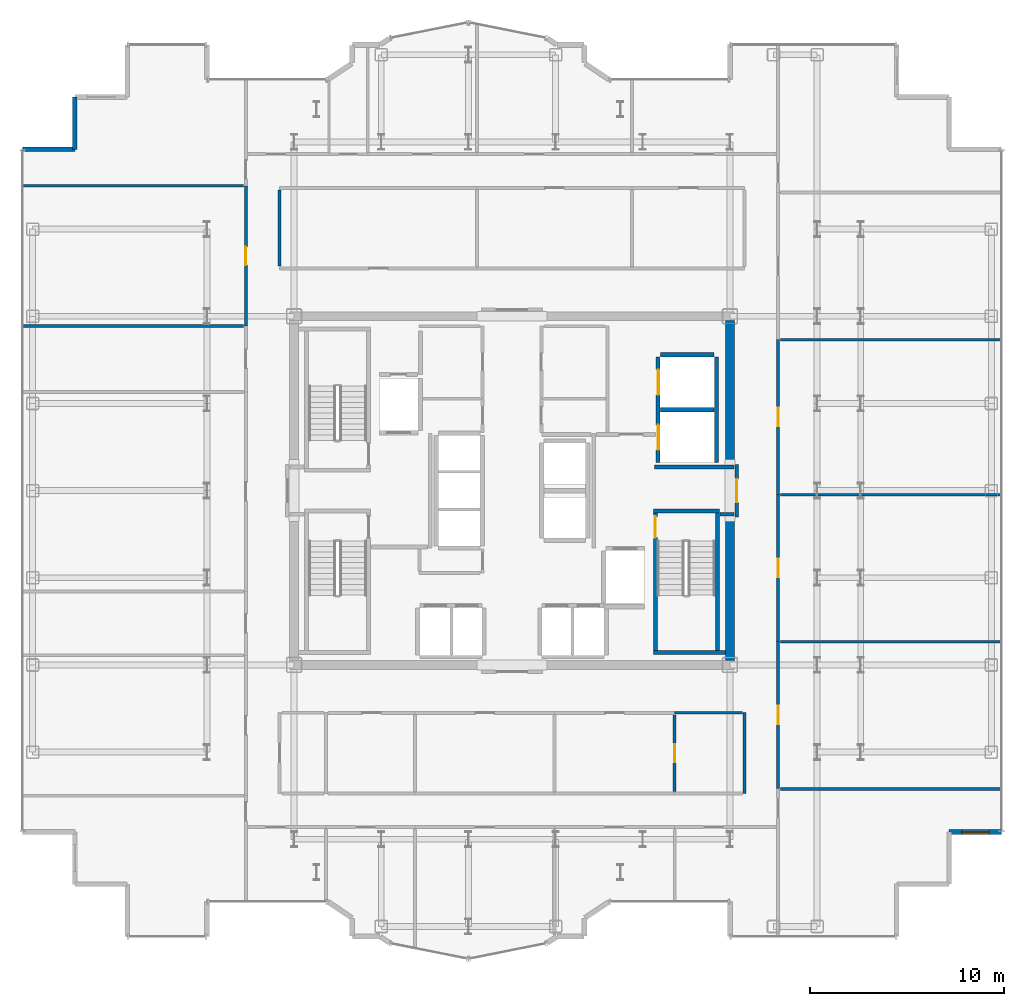
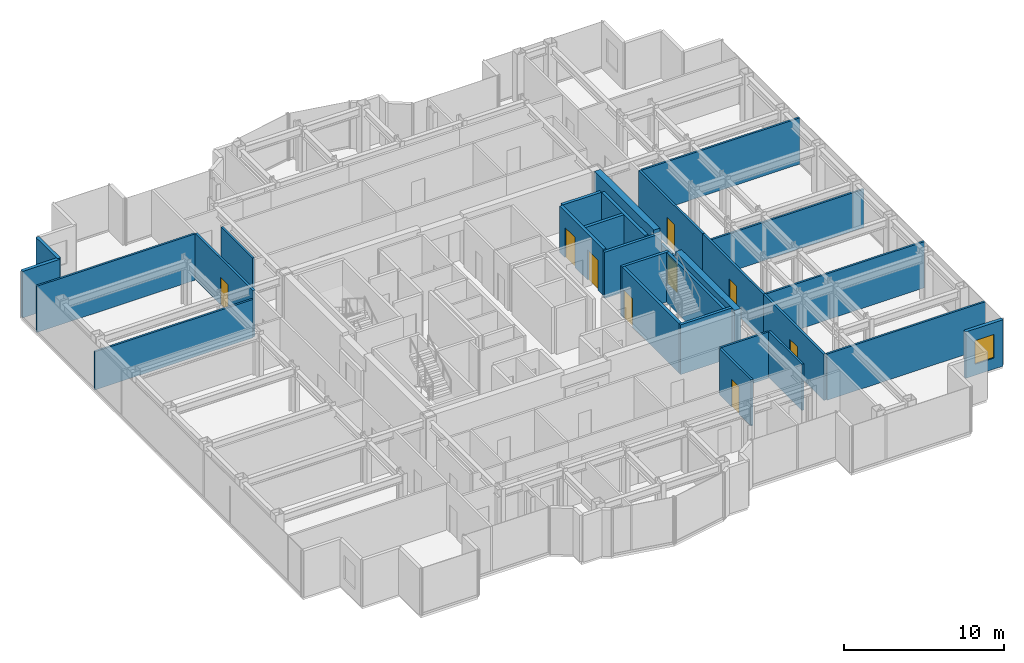
# One storey, part 17 of 20: 30 walls, 9 doors, 1 window, 10 openings.
"""IFC4 building model written with IfcOpenShell, lengths in metres."""

from ifc_helpers import new_model, si_unit, direction, frame, frame_2d, origin, place, context, subcontext, project, spatial, rectangle, extrude, source, transform, mapped, material, layer, layer_set, type_object, element, fill, save


model = new_model("IFC4")

# Units and contexts
model_context = context("Model", 3, precision=1e-05, world=origin(), true_north=direction((0.0, 1.0)))
body_context = subcontext(model_context, "Body", "Model", "MODEL_VIEW")
ifc_project = project(units=[si_unit("LENGTHUNIT", "METRE"), si_unit("AREAUNIT", "SQUARE_METRE"), si_unit("VOLUMEUNIT", "CUBIC_METRE"), si_unit("PLANEANGLEUNIT", "RADIAN"), si_unit("MASSUNIT", "GRAM", prefix="KILO")], contexts=[model_context])

# Site, building, storey
site_placement = place(None, origin())
site = spatial("IfcSite", under=ifc_project, at=site_placement, CompositionType="ELEMENT")
building_placement = place(site_placement, origin())
building = spatial("IfcBuilding", under=site, at=building_placement, Name="Nefas-Gora Pilgrimage Tower", CompositionType="ELEMENT")
storey_placement = place(building_placement, frame((0.0, 0.0, 237.0)))
storey = spatial("IfcBuildingStorey", under=building, at=storey_placement, Name="L59", CompositionType="ELEMENT", Elevation=237.0)

# Walls
ifc_material_1 = material(Name="Concrete C50/60", Category="concrete")
ifc_layer_1 = layer(ifc_material_1, 0.449951171875)
ifc_layer_set_1 = layer_set([ifc_layer_1], Name="Concrete C50/60")
wall_type_1 = type_object("IfcWallType", Name="SW-CORE-450", PredefinedType="SHEAR", material=ifc_layer_set_1)
shared_shape_1 = source(origin(), body_context, "Body", "SweptSolid", [
    extrude(rectangle(XDim=7.4248046875, YDim=0.449951171875, at=frame_2d((3.71240234375, 0.0))), origin(), (0.0, 0.0, 1.0), 3.800048828125),
])
for number, where, z_axis, x_axis, name in (
    (1, (11.25, -8.77490234375, 0.0), (0.0, 0.0, 1.0), (0.0, 1.0, 0.0), "L59 Core Shear Wall E-South"),
    (2, (11.25, 1.35009765625, 0.0), (0.0, 0.0, 1.0), (0.0, 1.0, 0.0), "L59 Core Shear Wall E-North"),
):
    element("IfcWall", number, at=place(storey_placement, frame(where, z_axis=z_axis, x_axis=x_axis)), inside=storey, type_object=wall_type_1, Name=name, PredefinedType="SHEAR", context=body_context, shape_type="MappedRepresentation", body=[
        mapped(shared_shape_1, transform((0.0, 0.0, 0.0), x_axis=(1.0, 0.0, 0.0), y_axis=(0.0, 1.0, 0.0), z_axis=(0.0, 0.0, 1.0), scale=1.0)),
    ])

# Wall, opening, window
ifc_material_2 = material(Name="Precast concrete C45/55", Category="concrete")
ifc_layer_2 = layer(ifc_material_2, 0.239990234375)
ifc_layer_set_2 = layer_set([ifc_layer_2], Name="Precast concrete C45/55")
wall_type_2 = type_object("IfcWallType", Name="EW-SERR-240", PredefinedType="SHEAR", material=ifc_layer_set_2)
shared_shape_2 = source(origin(), body_context, "Body", "SweptSolid", [
    extrude(rectangle(XDim=2.699951171875, YDim=0.239990234375, at=frame_2d((1.35009765625, 0.0))), origin(), (0.0, 0.0, 1.0), 3.550048828125),
])
wall_1_placement = place(storey_placement, frame((22.570068359375, -17.6201171875, 0.0), z_axis=(0.0, 0.0, 1.0), x_axis=(1.0, 0.0, 0.0)))
wall_1 = element("IfcWall", 3, at=wall_1_placement, inside=storey, type_object=wall_type_2, Name="L59 Serrated Corner Shear Pier Wall 5", PredefinedType="SHEAR", context=body_context, shape_type="MappedRepresentation", body=[
    mapped(shared_shape_2, transform((0.0, 0.0, 0.0), x_axis=(1.0, 0.0, 0.0), y_axis=(0.0, 1.0, 0.0), z_axis=(0.0, 0.0, 1.0), scale=1.0)),
])
opening_1_placement = place(wall_1_placement, frame((0.64990234375, 0.0, 0.85009765625)))
opening_1 = element("IfcOpeningElement", 4, at=opening_1_placement, cuts=wall_1, Name="Opening W-V2", PredefinedType="OPENING", context=body_context, shape_type="SweptSolid", body=[
    extrude(rectangle(XDim=1.39990234375, YDim=1.800048828125, at=frame_2d((0.699951171875, 0.89990234375))), frame((0.0, 0.1298828125, 0.0), z_axis=(0.0, -1.0, 0.0), x_axis=(1.0, 0.0, 0.0)), (0.0, 0.0, 1.0), 0.260009765625),
])
ifc_material_3 = material(Name="Dark ceramic-fritted operable aluminium-glass window", Category="aluminium")
window_type = type_object("IfcWindowType", Name="WIN-VENT-1400x1800", PartitioningType="SINGLE_PANEL", PredefinedType="WINDOW", material=ifc_material_3)
shared_shape_3 = source(origin(), body_context, "Body", "SweptSolid", [
    extrude(rectangle(XDim=1.39990234375, YDim=1.800048828125, at=frame_2d((0.699951171875, 0.89990234375))), frame((0.0, 0.030029296875, 0.0), z_axis=(0.0, -1.0, 0.0), x_axis=(1.0, 0.0, 0.0)), (0.0, 0.0, 1.0), 0.06005859375),
])
window_placement = place(opening_1_placement, origin())
window = element("IfcWindow", 5, at=window_placement, inside=storey, type_object=window_type, Name="L59 Operable Parallel-Outswing Window 5", OverallHeight=1.800048828125, OverallWidth=1.39990234375, PartitioningType="SINGLE_PANEL", PredefinedType="WINDOW", context=body_context, shape_type="MappedRepresentation", body=[
    mapped(shared_shape_3, transform((0.0, 0.0, 0.0), x_axis=(1.0, 0.0, 0.0), y_axis=(0.0, 1.0, 0.0), z_axis=(0.0, 0.0, 1.0), scale=1.0)),
])
fill(opening_1, window)

# Walls
for number, where, z_axis, x_axis, name in (
    (6, (-22.570068359375, 20.320068359375, 0.0), (0.0, 0.0, 1.0), (0.0, -1.0, 0.0), "L59 Serrated Corner Shear Pier Wall 22"),
    (7, (-22.570068359375, 17.6201171875, 0.0), (0.0, 0.0, 1.0), (-1.0, 0.0, 0.0), "L59 Serrated Corner Shear Pier Wall 23"),
):
    element("IfcWall", number, at=place(storey_placement, frame(where, z_axis=z_axis, x_axis=x_axis)), inside=storey, type_object=wall_type_2, Name=name, PredefinedType="SHEAR", context=body_context, shape_type="MappedRepresentation", body=[
        mapped(shared_shape_2, transform((0.0, 0.0, 0.0), x_axis=(1.0, 0.0, 0.0), y_axis=(0.0, 1.0, 0.0), z_axis=(0.0, 0.0, 1.0), scale=1.0)),
    ])
ifc_material_4 = material(Name="Concrete C45/55", Category="concrete")
ifc_layer_3 = layer(ifc_material_4, 0.199951171875)
ifc_layer_set_3 = layer_set([ifc_layer_3], Name="Concrete C45/55")
wall_type_3 = type_object("IfcWallType", Name="IW-STAIR-200", PredefinedType="SOLIDWALL", material=ifc_layer_set_3)
shared_shape_4 = source(origin(), body_context, "Body", "SweptSolid", [
    extrude(rectangle(XDim=3.39990234375, YDim=0.199951171875, at=frame_2d((1.699951171875, 0.0))), origin(), (0.0, 0.0, 1.0), 3.800048828125),
])
wall_2_placement = place(storey_placement, frame((7.300048828125, -1.050048828125, 0.0), z_axis=(0.0, 0.0, 1.0), x_axis=(1.0, 0.0, 0.0)))
element("IfcWall", 8, at=wall_2_placement, inside=storey, type_object=wall_type_3, Name="L59 Stairwell Shear Wall ST-02-near", PredefinedType="SOLIDWALL", context=body_context, shape_type="MappedRepresentation", body=[
    mapped(shared_shape_4, transform((0.0, 0.0, 0.0), x_axis=(1.0, 0.0, 0.0), y_axis=(0.0, 1.0, 0.0), z_axis=(0.0, 0.0, 1.0), scale=1.0)),
])

# Wall, opening, door
shared_shape_5 = source(origin(), body_context, "Body", "SweptSolid", [
    extrude(rectangle(XDim=7.10009765625, YDim=0.199951171875, at=frame_2d((3.550048828125, 0.0))), origin(), (0.0, 0.0, 1.0), 3.800048828125),
])
wall_3_placement = place(storey_placement, frame((7.39990234375, -1.14990234375, 0.0), z_axis=(0.0, 0.0, 1.0), x_axis=(0.0, -1.0, 0.0)))
wall_3 = element("IfcWall", 9, at=wall_3_placement, inside=storey, type_object=wall_type_3, Name="L59 Stairwell Shear Wall ST-02-left", PredefinedType="SOLIDWALL", context=body_context, shape_type="MappedRepresentation", body=[
    mapped(shared_shape_5, transform((0.0, 0.0, 0.0), x_axis=(1.0, 0.0, 0.0), y_axis=(0.0, 1.0, 0.0), z_axis=(0.0, 0.0, 1.0), scale=1.0)),
])
opening_2_placement = place(wall_3_placement, frame((0.179931640625, 0.0, 0.0)))
opening_2 = element("IfcOpeningElement", 10, at=opening_2_placement, cuts=wall_3, Name="Opening ID-ST1", PredefinedType="OPENING", context=body_context, shape_type="SweptSolid", body=[
    extrude(rectangle(XDim=1.10009765625, YDim=2.14990234375, at=frame_2d((0.550048828125, 1.074951171875))), frame((0.0, 0.10986328125, 0.0), z_axis=(0.0, -1.0, 0.0), x_axis=(1.0, 0.0, 0.0)), (0.0, 0.0, 1.0), 0.219970703125),
])
ifc_material_5 = material(Name="Painted galvanised steel fire stair door", Category="steel")
door_type_1 = type_object("IfcDoorType", Name="DR-INT-STAIR-1100", OperationType="NOTDEFINED", PredefinedType="DOOR", material=ifc_material_5)
shared_shape_6 = source(origin(), body_context, "Body", "SweptSolid", [
    extrude(rectangle(XDim=1.10009765625, YDim=2.14990234375, at=frame_2d((0.550048828125, 1.074951171875))), frame((0.0, 0.02490234375, 0.0), z_axis=(0.0, -1.0, 0.0), x_axis=(1.0, 0.0, 0.0)), (0.0, 0.0, 1.0), 0.050048828125),
])
door_1_placement = place(opening_2_placement, origin())
door_1 = element("IfcDoor", 11, at=door_1_placement, inside=storey, type_object=door_type_1, Name="L59 Protected Exit Stair Door ST-02", OperationType="SINGLE_SWING_RIGHT", OverallHeight=2.14990234375, OverallWidth=1.10009765625, PredefinedType="DOOR", context=body_context, shape_type="MappedRepresentation", body=[
    mapped(shared_shape_6, transform((0.0, 0.0, 0.0), x_axis=(1.0, 0.0, 0.0), y_axis=(0.0, 1.0, 0.0), z_axis=(0.0, 0.0, 1.0), scale=1.0)),
])
fill(opening_2, door_1)

# Walls
wall_4_placement = place(storey_placement, frame((10.60009765625, -1.14990234375, 0.0), z_axis=(0.0, 0.0, 1.0), x_axis=(0.0, -1.0, 0.0)))
element("IfcWall", 12, at=wall_4_placement, inside=storey, type_object=wall_type_3, Name="L59 Stairwell Shear Wall ST-02-right", PredefinedType="SOLIDWALL", context=body_context, shape_type="MappedRepresentation", body=[
    mapped(shared_shape_5, transform((0.0, 0.0, 0.0), x_axis=(1.0, 0.0, 0.0), y_axis=(0.0, 1.0, 0.0), z_axis=(0.0, 0.0, 1.0), scale=1.0)),
])
shared_shape_7 = source(origin(), body_context, "Body", "SweptSolid", [
    extrude(rectangle(XDim=3.72998046875, YDim=0.199951171875, at=frame_2d((1.864990234375, 0.0))), origin(), (0.0, 0.0, 1.0), 3.800048828125),
])
wall_5_placement = place(storey_placement, frame((7.300048828125, -8.35009765625, 0.0), z_axis=(0.0, 0.0, 1.0), x_axis=(1.0, 0.0, 0.0)))
element("IfcWall", 13, at=wall_5_placement, inside=storey, type_object=wall_type_3, Name="L59 Stairwell Shear Wall ST-02-far", PredefinedType="SOLIDWALL", context=body_context, shape_type="MappedRepresentation", body=[
    mapped(shared_shape_7, transform((0.0, 0.0, 0.0), x_axis=(1.0, 0.0, 0.0), y_axis=(0.0, 1.0, 0.0), z_axis=(0.0, 0.0, 1.0), scale=1.0)),
])

# Wall, openings, doors
ifc_material_6 = material(Name="Concrete C40/50", Category="concrete")
ifc_layer_4 = layer(ifc_material_6, 0.219970703125)
ifc_layer_set_4 = layer_set([ifc_layer_4], Name="Concrete C40/50")
wall_type_4 = type_object("IfcWallType", Name="IW-SHAFT-220", PredefinedType="SOLIDWALL", material=ifc_layer_set_4)
shared_shape_8 = source(origin(), body_context, "Body", "SweptSolid", [
    extrude(rectangle(XDim=5.449951171875, YDim=0.219970703125, at=frame_2d((2.72509765625, 0.0))), origin(), (0.0, 0.0, 1.0), 3.534912109375),
])
wall_6_placement = place(storey_placement, frame((7.5400390625, 6.89990234375, 0.0), z_axis=(0.0, 0.0, 1.0), x_axis=(0.0, -1.0, 0.0)))
wall_6 = element("IfcWall", 14, at=wall_6_placement, inside=storey, type_object=wall_type_4, Name="L59 Hoistway Wall SL-01-02-W", PredefinedType="SOLIDWALL", context=body_context, shape_type="MappedRepresentation", body=[
    mapped(shared_shape_8, transform((0.0, 0.0, 0.0), x_axis=(1.0, 0.0, 0.0), y_axis=(0.0, 1.0, 0.0), z_axis=(0.0, 0.0, 1.0), scale=1.0)),
])
opening_3_placement = place(wall_6_placement, frame((3.5, 0.0, 0.0)))
opening_3 = element("IfcOpeningElement", 15, at=opening_3_placement, cuts=wall_6, Name="Opening LD-SV", PredefinedType="OPENING", context=body_context, shape_type="SweptSolid", body=[
    extrude(rectangle(XDim=1.300048828125, YDim=2.300048828125, at=frame_2d((0.64990234375, 1.14990234375))), frame((0.0, 0.119873046875, 0.0), z_axis=(0.0, -1.0, 0.0), x_axis=(1.0, 0.0, 0.0)), (0.0, 0.0, 1.0), 0.239990234375),
])
opening_4_placement = place(wall_6_placement, frame((0.64990234375, 0.0, 0.0)))
opening_4 = element("IfcOpeningElement", 16, at=opening_4_placement, cuts=wall_6, Name="Opening LD-SV", PredefinedType="OPENING", context=body_context, shape_type="SweptSolid", body=[
    extrude(rectangle(XDim=1.300048828125, YDim=2.300048828125, at=frame_2d((0.64990234375, 1.14990234375))), frame((0.0, 0.119873046875, 0.0), z_axis=(0.0, -1.0, 0.0), x_axis=(1.0, 0.0, 0.0)), (0.0, 0.0, 1.0), 0.239990234375),
])
ifc_material_7 = material(Name="Heavy goods sliding lift landing door")
door_type_2 = type_object("IfcDoorType", Name="DR-LIFT-SERV-1300", OperationType="SLIDING_TO_RIGHT", PredefinedType="DOOR", material=ifc_material_7)
shared_shape_9 = source(origin(), body_context, "Body", "SweptSolid", [
    extrude(rectangle(XDim=1.300048828125, YDim=2.300048828125, at=frame_2d((0.64990234375, 1.14990234375))), frame((0.0, 0.02490234375, 0.0), z_axis=(0.0, -1.0, 0.0), x_axis=(1.0, 0.0, 0.0)), (0.0, 0.0, 1.0), 0.050048828125),
])
door_2_placement = place(opening_3_placement, origin())
door_2 = element("IfcDoor", 17, at=door_2_placement, inside=storey, type_object=door_type_2, Name="L59 Sliding Lift Landing Door SL-01", OperationType="SLIDING_TO_RIGHT", OverallHeight=2.300048828125, OverallWidth=1.300048828125, PredefinedType="DOOR", context=body_context, shape_type="MappedRepresentation", body=[
    mapped(shared_shape_9, transform((0.0, 0.0, 0.0), x_axis=(1.0, 0.0, 0.0), y_axis=(0.0, 1.0, 0.0), z_axis=(0.0, 0.0, 1.0), scale=1.0)),
])
fill(opening_3, door_2)
door_3_placement = place(opening_4_placement, origin())
door_3 = element("IfcDoor", 18, at=door_3_placement, inside=storey, type_object=door_type_2, Name="L59 Sliding Lift Landing Door SL-02", OperationType="SLIDING_TO_RIGHT", OverallHeight=2.300048828125, OverallWidth=1.300048828125, PredefinedType="DOOR", context=body_context, shape_type="MappedRepresentation", body=[
    mapped(shared_shape_9, transform((0.0, 0.0, 0.0), x_axis=(1.0, 0.0, 0.0), y_axis=(0.0, 1.0, 0.0), z_axis=(0.0, 0.0, 1.0), scale=1.0)),
])
fill(opening_4, door_3)

# Walls
wall_7_placement = place(storey_placement, frame((10.56005859375, 1.449951171875, 0.0), z_axis=(0.0, 0.0, 1.0), x_axis=(0.0, 1.0, 0.0)))
element("IfcWall", 19, at=wall_7_placement, inside=storey, type_object=wall_type_4, Name="L59 Hoistway Wall SL-01-02-E", PredefinedType="SOLIDWALL", context=body_context, shape_type="MappedRepresentation", body=[
    mapped(shared_shape_8, transform((0.0, 0.0, 0.0), x_axis=(1.0, 0.0, 0.0), y_axis=(0.0, 1.0, 0.0), z_axis=(0.0, 0.0, 1.0), scale=1.0)),
])
shared_shape_10 = source(origin(), body_context, "Body", "SweptSolid", [
    extrude(rectangle(XDim=2.780029296875, YDim=0.219970703125, at=frame_2d((1.39013671875, 0.0))), origin(), (0.0, 0.0, 1.0), 3.534912109375),
])
for number, where, z_axis, x_axis, name in (
    (20, (7.659912109375, 4.175048828125, 0.0), (0.0, 0.0, 1.0), (1.0, 0.0, 0.0), "L59 Hoistway Wall SL-01-02-DIV"),
    (21, (10.43994140625, 7.010009765625, 0.0), (0.0, 0.0, 1.0), (-1.0, 0.0, 0.0), "L59 Hoistway Wall SL-02-N"),
):
    element("IfcWall", number, at=place(storey_placement, frame(where, z_axis=z_axis, x_axis=x_axis)), inside=storey, type_object=wall_type_4, Name=name, PredefinedType="SOLIDWALL", context=body_context, shape_type="MappedRepresentation", body=[
        mapped(shared_shape_10, transform((0.0, 0.0, 0.0), x_axis=(1.0, 0.0, 0.0), y_axis=(0.0, 1.0, 0.0), z_axis=(0.0, 0.0, 1.0), scale=1.0)),
    ])
ifc_material_8 = material(Name="Gypsum fire-rated shaftwall")
ifc_layer_5 = layer(ifc_material_8, 0.199951171875)
ifc_layer_set_5 = layer_set([ifc_layer_5], Name="Gypsum fire-rated shaftwall")
wall_type_5 = type_object("IfcWallType", Name="IW-FFLOB-200", PredefinedType="PARTITIONING", material=ifc_layer_set_5)
shared_shape_11 = source(origin(), body_context, "Body", "SweptSolid", [
    extrude(rectangle(XDim=0.719970703125, YDim=0.199951171875, at=frame_2d((0.35986328125, 0.0))), origin(), (0.0, 0.0, 1.0), 3.534912109375),
])
wall_8_placement = place(storey_placement, frame((10.739990234375, -1.219970703125, 0.0), z_axis=(0.0, 0.0, 1.0), x_axis=(1.0, 0.0, 0.0)))
element("IfcWall", 22, at=wall_8_placement, inside=storey, type_object=wall_type_5, Name="L59 FF Lobby East Throat S Wall 14", PredefinedType="PARTITIONING", context=body_context, shape_type="MappedRepresentation", body=[
    mapped(shared_shape_11, transform((0.0, 0.0, 0.0), x_axis=(1.0, 0.0, 0.0), y_axis=(0.0, 1.0, 0.0), z_axis=(0.0, 0.0, 1.0), scale=1.0)),
])
shared_shape_12 = source(origin(), body_context, "Body", "SweptSolid", [
    extrude(rectangle(XDim=4.10986328125, YDim=0.199951171875, at=frame_2d((2.054931640625, 0.0))), origin(), (0.0, 0.0, 1.0), 3.534912109375),
])
wall_9_placement = place(storey_placement, frame((7.35009765625, 1.219970703125, 0.0), z_axis=(0.0, 0.0, 1.0), x_axis=(1.0, 0.0, 0.0)))
element("IfcWall", 23, at=wall_9_placement, inside=storey, type_object=wall_type_5, Name="L59 FF Lobby East Throat N Wall 13", PredefinedType="PARTITIONING", context=body_context, shape_type="MappedRepresentation", body=[
    mapped(shared_shape_12, transform((0.0, 0.0, 0.0), x_axis=(1.0, 0.0, 0.0), y_axis=(0.0, 1.0, 0.0), z_axis=(0.0, 0.0, 1.0), scale=1.0)),
])
ifc_material_9 = material(Name="Gypsum twin-stud partition")
ifc_layer_6 = layer(ifc_material_9, 0.139892578125)
ifc_layer_set_6 = layer_set([ifc_layer_6], Name="Gypsum twin-stud partition")
wall_type_6 = type_object("IfcWallType", Name="IW-UNIT-140", PredefinedType="PARTITIONING", material=ifc_layer_set_6)
shared_shape_13 = source(origin(), body_context, "Body", "SweptSolid", [
    extrude(rectangle(XDim=11.429931640625, YDim=0.139892578125, at=frame_2d((5.71484375, 0.0))), origin(), (0.0, 0.0, 1.0), 3.534912109375),
])
for number, where, z_axis, x_axis, name in (
    (24, (-25.2900390625, 15.74755859375, 0.0), (0.0, 0.0, 1.0), (1.0, 0.0, 0.0), "L59 Pilgrim Tea and Beverage Pantry Partition Wall 43"),
    (25, (13.860107421875, -15.3974609375, 0.0), (0.0, 0.0, 1.0), (1.0, 0.0, 0.0), "L59 Pilgrim Fellowship Seminar Room Partition Wall 46"),
    (26, (13.860107421875, -7.804931640625, 0.0), (0.0, 0.0, 1.0), (1.0, 0.0, 0.0), "L59 Pilgrim Fellowship Seminar Room Partition Wall 48"),
    (27, (13.860107421875, 7.794921875, 0.0), (0.0, 0.0, 1.0), (1.0, 0.0, 0.0), "L59 Pilgrim Contemplative Lounge Partition Wall 52"),
):
    element("IfcWall", number, at=place(storey_placement, frame(where, z_axis=z_axis, x_axis=x_axis)), inside=storey, type_object=wall_type_6, Name=name, PredefinedType="PARTITIONING", context=body_context, shape_type="MappedRepresentation", body=[
        mapped(shared_shape_13, transform((0.0, 0.0, 0.0), x_axis=(1.0, 0.0, 0.0), y_axis=(0.0, 1.0, 0.0), z_axis=(0.0, 0.0, 1.0), scale=1.0)),
    ])

# Wall, opening, door
ifc_material_10 = material(Name="Gypsum acoustic stud partition")
ifc_layer_7 = layer(ifc_material_10, 0.159912109375)
ifc_layer_set_7 = layer_set([ifc_layer_7], Name="Gypsum acoustic stud partition")
wall_type_7 = type_object("IfcWallType", Name="IW-CORR-160", PredefinedType="PARTITIONING", material=ifc_layer_set_7)
shared_shape_14 = source(origin(), body_context, "Body", "SweptSolid", [
    extrude(rectangle(XDim=7.242431640625, YDim=0.159912109375, at=frame_2d((3.62109375, 0.0))), origin(), (0.0, 0.0, 1.0), 3.534912109375),
])
wall_10_placement = place(storey_placement, frame((-13.739990234375, 8.4951171875, 0.0), z_axis=(0.0, 0.0, 1.0), x_axis=(0.0, 1.0, 0.0)))
wall_10 = element("IfcWall", 28, at=wall_10_placement, inside=storey, type_object=wall_type_7, Name="L59 Pilgrim Fellowship Seminar Room Partition Wall 44", PredefinedType="PARTITIONING", context=body_context, shape_type="MappedRepresentation", body=[
    mapped(shared_shape_14, transform((0.0, 0.0, 0.0), x_axis=(1.0, 0.0, 0.0), y_axis=(0.0, 1.0, 0.0), z_axis=(0.0, 0.0, 1.0), scale=1.0)),
])
opening_5_placement = place(wall_10_placement, frame((3.146240234375, 0.0, 0.0)))
opening_5 = element("IfcOpeningElement", 29, at=opening_5_placement, cuts=wall_10, Name="Opening ID-GR1", PredefinedType="OPENING", context=body_context, shape_type="SweptSolid", body=[
    extrude(rectangle(XDim=0.949951171875, YDim=2.10009765625, at=frame_2d((0.47509765625, 1.050048828125))), frame((0.0, 0.08984375, 0.0), z_axis=(0.0, -1.0, 0.0), x_axis=(1.0, 0.0, 0.0)), (0.0, 0.0, 1.0), 0.179931640625),
])
ifc_material_11 = material(Name="Solid core oak fire-rated guest entrance door")
door_type_3 = type_object("IfcDoorType", Name="DR-INT-GUEST-950", OperationType="NOTDEFINED", PredefinedType="DOOR", material=ifc_material_11)
shared_shape_15 = source(origin(), body_context, "Body", "SweptSolid", [
    extrude(rectangle(XDim=0.949951171875, YDim=2.10009765625, at=frame_2d((0.47509765625, 1.050048828125))), frame((0.0, 0.02490234375, 0.0), z_axis=(0.0, -1.0, 0.0), x_axis=(1.0, 0.0, 0.0)), (0.0, 0.0, 1.0), 0.050048828125),
])
door_4_placement = place(opening_5_placement, origin())
door_4 = element("IfcDoor", 30, at=door_4_placement, inside=storey, type_object=door_type_3, Name="L59 Pilgrim Fellowship Seminar Room Door 19", OperationType="SINGLE_SWING_LEFT", OverallHeight=2.10009765625, OverallWidth=0.949951171875, PredefinedType="DOOR", context=body_context, shape_type="MappedRepresentation", body=[
    mapped(shared_shape_15, transform((0.0, 0.0, 0.0), x_axis=(1.0, 0.0, 0.0), y_axis=(0.0, 1.0, 0.0), z_axis=(0.0, 0.0, 1.0), scale=1.0)),
])
fill(opening_5, door_4)

# Wall
shared_shape_16 = source(origin(), body_context, "Body", "SweptSolid", [
    extrude(rectangle(XDim=3.929931640625, YDim=0.139892578125, at=frame_2d((1.96484375, 0.0))), origin(), (0.0, 0.0, 1.0), 3.534912109375),
])
wall_11_placement = place(storey_placement, frame((-12.0, 11.590087890625, 0.0), z_axis=(0.0, 0.0, 1.0), x_axis=(0.0, 1.0, 0.0)))
element("IfcWall", 31, at=wall_11_placement, inside=storey, type_object=wall_type_6, Name="L59 Pilgrim Contemplative Lounge Partition Wall 58", PredefinedType="PARTITIONING", context=body_context, shape_type="MappedRepresentation", body=[
    mapped(shared_shape_16, transform((0.0, 0.0, 0.0), x_axis=(1.0, 0.0, 0.0), y_axis=(0.0, 1.0, 0.0), z_axis=(0.0, 0.0, 1.0), scale=1.0)),
])

# Wall, opening, door
shared_shape_17 = source(origin(), body_context, "Body", "SweptSolid", [
    extrude(rectangle(XDim=3.929931640625, YDim=0.159912109375, at=frame_2d((1.96484375, 0.0))), origin(), (0.0, 0.0, 1.0), 3.534912109375),
])
wall_12_placement = place(storey_placement, frame((8.39501953125, -15.52001953125, 0.0), z_axis=(0.0, 0.0, 1.0), x_axis=(0.0, 1.0, 0.0)))
wall_12 = element("IfcWall", 32, at=wall_12_placement, inside=storey, type_object=wall_type_7, Name="L59 Pilgrim Contemplative Lounge Partition Wall 92", PredefinedType="PARTITIONING", context=body_context, shape_type="MappedRepresentation", body=[
    mapped(shared_shape_17, transform((0.0, 0.0, 0.0), x_axis=(1.0, 0.0, 0.0), y_axis=(0.0, 1.0, 0.0), z_axis=(0.0, 0.0, 1.0), scale=1.0)),
])
opening_6_placement = place(wall_12_placement, frame((1.489990234375, 0.0, 0.0)))
opening_6 = element("IfcOpeningElement", 33, at=opening_6_placement, cuts=wall_12, Name="Opening ID-GR1", PredefinedType="OPENING", context=body_context, shape_type="SweptSolid", body=[
    extrude(rectangle(XDim=0.949951171875, YDim=2.10009765625, at=frame_2d((0.47509765625, 1.050048828125))), frame((0.0, 0.08984375, 0.0), z_axis=(0.0, -1.0, 0.0), x_axis=(1.0, 0.0, 0.0)), (0.0, 0.0, 1.0), 0.179931640625),
])
door_5_placement = place(opening_6_placement, origin())
door_5 = element("IfcDoor", 34, at=door_5_placement, inside=storey, type_object=door_type_3, Name="L59 Pilgrim Contemplative Lounge Door 41", OperationType="SINGLE_SWING_LEFT", OverallHeight=2.10009765625, OverallWidth=0.949951171875, PredefinedType="DOOR", context=body_context, shape_type="MappedRepresentation", body=[
    mapped(shared_shape_15, transform((0.0, 0.0, 0.0), x_axis=(1.0, 0.0, 0.0), y_axis=(0.0, 1.0, 0.0), z_axis=(0.0, 0.0, 1.0), scale=1.0)),
])
fill(opening_6, door_5)

# Walls
shared_shape_18 = source(origin(), body_context, "Body", "SweptSolid", [
    extrude(rectangle(XDim=4.179931640625, YDim=0.139892578125, at=frame_2d((2.08984375, 0.0))), origin(), (0.0, 0.0, 1.0), 3.534912109375),
])
wall_13_placement = place(storey_placement, frame((12.0, -15.639892578125, 0.0), z_axis=(0.0, 0.0, 1.0), x_axis=(0.0, 1.0, 0.0)))
element("IfcWall", 35, at=wall_13_placement, inside=storey, type_object=wall_type_6, Name="L59 Pilgrim Contemplative Lounge Partition Wall 94", PredefinedType="PARTITIONING", context=body_context, shape_type="MappedRepresentation", body=[
    mapped(shared_shape_18, transform((0.0, 0.0, 0.0), x_axis=(1.0, 0.0, 0.0), y_axis=(0.0, 1.0, 0.0), z_axis=(0.0, 0.0, 1.0), scale=1.0)),
])
shared_shape_19 = source(origin(), body_context, "Body", "SweptSolid", [
    extrude(rectangle(XDim=3.494873046875, YDim=0.139892578125, at=frame_2d((1.74755859375, 0.0))), origin(), (0.0, 0.0, 1.0), 3.534912109375),
])
wall_14_placement = place(storey_placement, frame((8.39501953125, -11.469970703125, 0.0), z_axis=(0.0, 0.0, 1.0), x_axis=(1.0, 0.0, 0.0)))
element("IfcWall", 36, at=wall_14_placement, inside=storey, type_object=wall_type_6, Name="L59 Pilgrim Contemplative Lounge Partition Wall 95", PredefinedType="PARTITIONING", context=body_context, shape_type="MappedRepresentation", body=[
    mapped(shared_shape_19, transform((0.0, 0.0, 0.0), x_axis=(1.0, 0.0, 0.0), y_axis=(0.0, 1.0, 0.0), z_axis=(0.0, 0.0, 1.0), scale=1.0)),
])

# Wall, opening, door
shared_shape_20 = source(origin(), body_context, "Body", "SweptSolid", [
    extrude(rectangle(XDim=2.7001953125, YDim=0.199951171875, at=frame_2d((1.35009765625, 0.0))), origin(), (0.0, 0.0, 1.0), 2.625),
])
wall_15_placement = place(storey_placement, frame((11.60009765625, -1.35009765625, 0.0), z_axis=(0.0, 0.0, 1.0), x_axis=(0.0, 1.0, 0.0)))
wall_15 = element("IfcWall", 37, at=wall_15_placement, inside=storey, type_object=wall_type_5, Name="L59 FF Lobby East Portal Wall 9", PredefinedType="PARTITIONING", context=body_context, shape_type="MappedRepresentation", body=[
    mapped(shared_shape_20, transform((0.0, 0.0, 0.0), x_axis=(1.0, 0.0, 0.0), y_axis=(0.0, 1.0, 0.0), z_axis=(0.0, 0.0, 1.0), scale=1.0)),
])
opening_7_placement = place(wall_15_placement, frame((0.75, 0.0, 0.0)))
opening_7 = element("IfcOpeningElement", 38, at=opening_7_placement, cuts=wall_15, Name="Opening ID-FF1", PredefinedType="OPENING", context=body_context, shape_type="SweptSolid", body=[
    extrude(rectangle(XDim=1.199951171875, YDim=2.14990234375, at=frame_2d((0.60009765625, 1.074951171875))), frame((0.0, 0.10986328125, 0.0), z_axis=(0.0, -1.0, 0.0), x_axis=(1.0, 0.0, 0.0)), (0.0, 0.0, 1.0), 0.219970703125),
])
ifc_material_12 = material(Name="Smoke-sealed steel firefighting lobby door", Category="steel")
door_type_4 = type_object("IfcDoorType", Name="DR-INT-FFLOB-1200", OperationType="NOTDEFINED", PredefinedType="DOOR", material=ifc_material_12)
shared_shape_21 = source(origin(), body_context, "Body", "SweptSolid", [
    extrude(rectangle(XDim=1.199951171875, YDim=2.14990234375, at=frame_2d((0.60009765625, 1.074951171875))), frame((0.0, 0.02490234375, 0.0), z_axis=(0.0, -1.0, 0.0), x_axis=(1.0, 0.0, 0.0)), (0.0, 0.0, 1.0), 0.050048828125),
])
door_6_placement = place(opening_7_placement, origin())
door_6 = element("IfcDoor", 39, at=door_6_placement, inside=storey, type_object=door_type_4, Name="L59 FF Lobby East Portal Door 3", OperationType="SINGLE_SWING_LEFT", OverallHeight=2.14990234375, OverallWidth=1.199951171875, PredefinedType="DOOR", context=body_context, shape_type="MappedRepresentation", body=[
    mapped(shared_shape_21, transform((0.0, 0.0, 0.0), x_axis=(1.0, 0.0, 0.0), y_axis=(0.0, 1.0, 0.0), z_axis=(0.0, 0.0, 1.0), scale=1.0)),
])
fill(opening_7, door_6)

# Walls
shared_shape_22 = source(origin(), body_context, "Body", "SweptSolid", [
    extrude(rectangle(XDim=11.429931640625, YDim=0.139892578125, at=frame_2d((5.71484375, 0.0))), origin(), (0.0, 0.0, 1.0), 2.925048828125),
])
for number, where, z_axis, x_axis, name in (
    (40, (-25.2900390625, 8.4951171875, 0.0), (0.0, 0.0, 1.0), (1.0, 0.0, 0.0), "L59 Scripture Reading Study Partition Wall 41"),
    (41, (13.860107421875, -0.205078125, 0.0), (0.0, 0.0, 1.0), (1.0, 0.0, 0.0), "L59 Pilgrim Fellowship Seminar Room Partition Wall 50"),
):
    element("IfcWall", number, at=place(storey_placement, frame(where, z_axis=z_axis, x_axis=x_axis)), inside=storey, type_object=wall_type_6, Name=name, PredefinedType="PARTITIONING", context=body_context, shape_type="MappedRepresentation", body=[
        mapped(shared_shape_22, transform((0.0, 0.0, 0.0), x_axis=(1.0, 0.0, 0.0), y_axis=(0.0, 1.0, 0.0), z_axis=(0.0, 0.0, 1.0), scale=1.0)),
    ])

# Wall, opening, door
shared_shape_23 = source(origin(), body_context, "Body", "SweptSolid", [
    extrude(rectangle(XDim=7.592529296875, YDim=0.159912109375, at=frame_2d((3.79638671875, 0.0))), origin(), (0.0, 0.0, 1.0), 3.534912109375),
])
wall_16_placement = place(storey_placement, frame((13.739990234375, -15.387451171875, 0.0), z_axis=(0.0, 0.0, 1.0), x_axis=(0.0, 1.0, 0.0)))
wall_16 = element("IfcWall", 42, at=wall_16_placement, inside=storey, type_object=wall_type_7, Name="L59 Pilgrim Fellowship Seminar Room Partition Wall 47", PredefinedType="PARTITIONING", context=body_context, shape_type="MappedRepresentation", body=[
    mapped(shared_shape_23, transform((0.0, 0.0, 0.0), x_axis=(1.0, 0.0, 0.0), y_axis=(0.0, 1.0, 0.0), z_axis=(0.0, 0.0, 1.0), scale=1.0)),
])
opening_8_placement = place(wall_16_placement, frame((3.3212890625, 0.0, 0.0)))
opening_8 = element("IfcOpeningElement", 43, at=opening_8_placement, cuts=wall_16, Name="Opening ID-GR1", PredefinedType="OPENING", context=body_context, shape_type="SweptSolid", body=[
    extrude(rectangle(XDim=0.949951171875, YDim=2.10009765625, at=frame_2d((0.47509765625, 1.050048828125))), frame((0.0, 0.08984375, 0.0), z_axis=(0.0, -1.0, 0.0), x_axis=(1.0, 0.0, 0.0)), (0.0, 0.0, 1.0), 0.179931640625),
])
door_7_placement = place(opening_8_placement, origin())
door_7 = element("IfcDoor", 44, at=door_7_placement, inside=storey, type_object=door_type_3, Name="L59 Pilgrim Fellowship Seminar Room Door 21", OperationType="SINGLE_SWING_LEFT", OverallHeight=2.10009765625, OverallWidth=0.949951171875, PredefinedType="DOOR", context=body_context, shape_type="MappedRepresentation", body=[
    mapped(shared_shape_15, transform((0.0, 0.0, 0.0), x_axis=(1.0, 0.0, 0.0), y_axis=(0.0, 1.0, 0.0), z_axis=(0.0, 0.0, 1.0), scale=1.0)),
])
fill(opening_8, door_7)

shared_shape_24 = source(origin(), body_context, "Body", "SweptSolid", [
    extrude(rectangle(XDim=7.60986328125, YDim=0.159912109375, at=frame_2d((3.804931640625, 0.0))), origin(), (0.0, 0.0, 1.0), 3.534912109375),
])
wall_17_placement = place(storey_placement, frame((13.739990234375, -7.804931640625, 0.0), z_axis=(0.0, 0.0, 1.0), x_axis=(0.0, 1.0, 0.0)))
wall_17 = element("IfcWall", 45, at=wall_17_placement, inside=storey, type_object=wall_type_7, Name="L59 Pilgrim Fellowship Seminar Room Partition Wall 49", PredefinedType="PARTITIONING", context=body_context, shape_type="MappedRepresentation", body=[
    mapped(shared_shape_24, transform((0.0, 0.0, 0.0), x_axis=(1.0, 0.0, 0.0), y_axis=(0.0, 1.0, 0.0), z_axis=(0.0, 0.0, 1.0), scale=1.0)),
])
opening_9_placement = place(wall_17_placement, frame((3.330078125, 0.0, 0.0)))
opening_9 = element("IfcOpeningElement", 46, at=opening_9_placement, cuts=wall_17, Name="Opening ID-GR1", PredefinedType="OPENING", context=body_context, shape_type="SweptSolid", body=[
    extrude(rectangle(XDim=0.949951171875, YDim=2.10009765625, at=frame_2d((0.47509765625, 1.050048828125))), frame((0.0, 0.08984375, 0.0), z_axis=(0.0, -1.0, 0.0), x_axis=(1.0, 0.0, 0.0)), (0.0, 0.0, 1.0), 0.179931640625),
])
door_8_placement = place(opening_9_placement, origin())
door_8 = element("IfcDoor", 47, at=door_8_placement, inside=storey, type_object=door_type_3, Name="L59 Pilgrim Fellowship Seminar Room Door 22", OperationType="SINGLE_SWING_RIGHT", OverallHeight=2.10009765625, OverallWidth=0.949951171875, PredefinedType="DOOR", context=body_context, shape_type="MappedRepresentation", body=[
    mapped(shared_shape_15, transform((0.0, 0.0, 0.0), x_axis=(1.0, 0.0, 0.0), y_axis=(0.0, 1.0, 0.0), z_axis=(0.0, 0.0, 1.0), scale=1.0)),
])
fill(opening_9, door_8)

shared_shape_25 = source(origin(), body_context, "Body", "SweptSolid", [
    extrude(rectangle(XDim=8.010009765625, YDim=0.159912109375, at=frame_2d((4.0048828125, 0.0))), origin(), (0.0, 0.0, 1.0), 3.534912109375),
])
wall_18_placement = place(storey_placement, frame((13.739990234375, -0.205078125, 0.0), z_axis=(0.0, 0.0, 1.0), x_axis=(0.0, 1.0, 0.0)))
wall_18 = element("IfcWall", 48, at=wall_18_placement, inside=storey, type_object=wall_type_7, Name="L59 Pilgrim Contemplative Lounge Partition Wall 51", PredefinedType="PARTITIONING", context=body_context, shape_type="MappedRepresentation", body=[
    mapped(shared_shape_25, transform((0.0, 0.0, 0.0), x_axis=(1.0, 0.0, 0.0), y_axis=(0.0, 1.0, 0.0), z_axis=(0.0, 0.0, 1.0), scale=1.0)),
])
opening_10_placement = place(wall_18_placement, frame((3.530029296875, 0.0, 0.0)))
opening_10 = element("IfcOpeningElement", 49, at=opening_10_placement, cuts=wall_18, Name="Opening ID-GR1", PredefinedType="OPENING", context=body_context, shape_type="SweptSolid", body=[
    extrude(rectangle(XDim=0.949951171875, YDim=2.10009765625, at=frame_2d((0.47509765625, 1.050048828125))), frame((0.0, 0.08984375, 0.0), z_axis=(0.0, -1.0, 0.0), x_axis=(1.0, 0.0, 0.0)), (0.0, 0.0, 1.0), 0.179931640625),
])
door_9_placement = place(opening_10_placement, origin())
door_9 = element("IfcDoor", 50, at=door_9_placement, inside=storey, type_object=door_type_3, Name="L59 Pilgrim Contemplative Lounge Door 23", OperationType="SINGLE_SWING_LEFT", OverallHeight=2.10009765625, OverallWidth=0.949951171875, PredefinedType="DOOR", context=body_context, shape_type="MappedRepresentation", body=[
    mapped(shared_shape_15, transform((0.0, 0.0, 0.0), x_axis=(1.0, 0.0, 0.0), y_axis=(0.0, 1.0, 0.0), z_axis=(0.0, 0.0, 1.0), scale=1.0)),
])
fill(opening_10, door_9)

save(model, "model.ifc")
